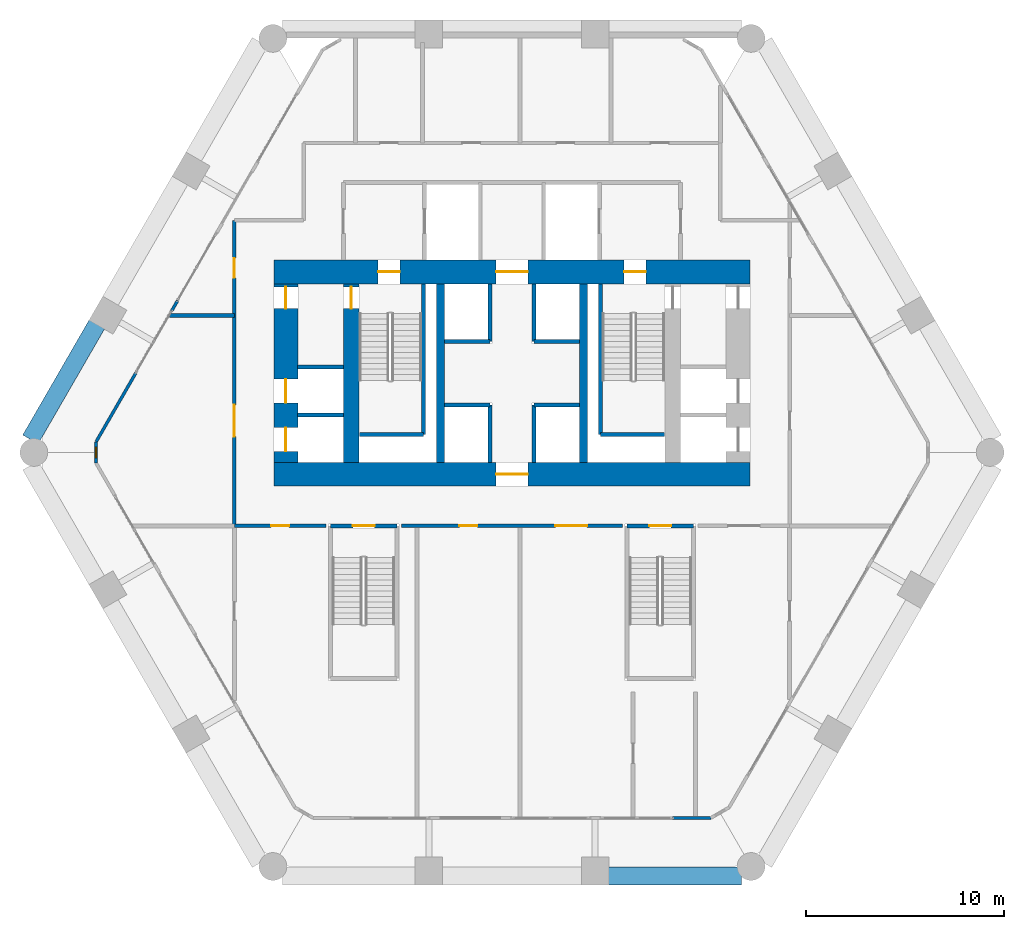
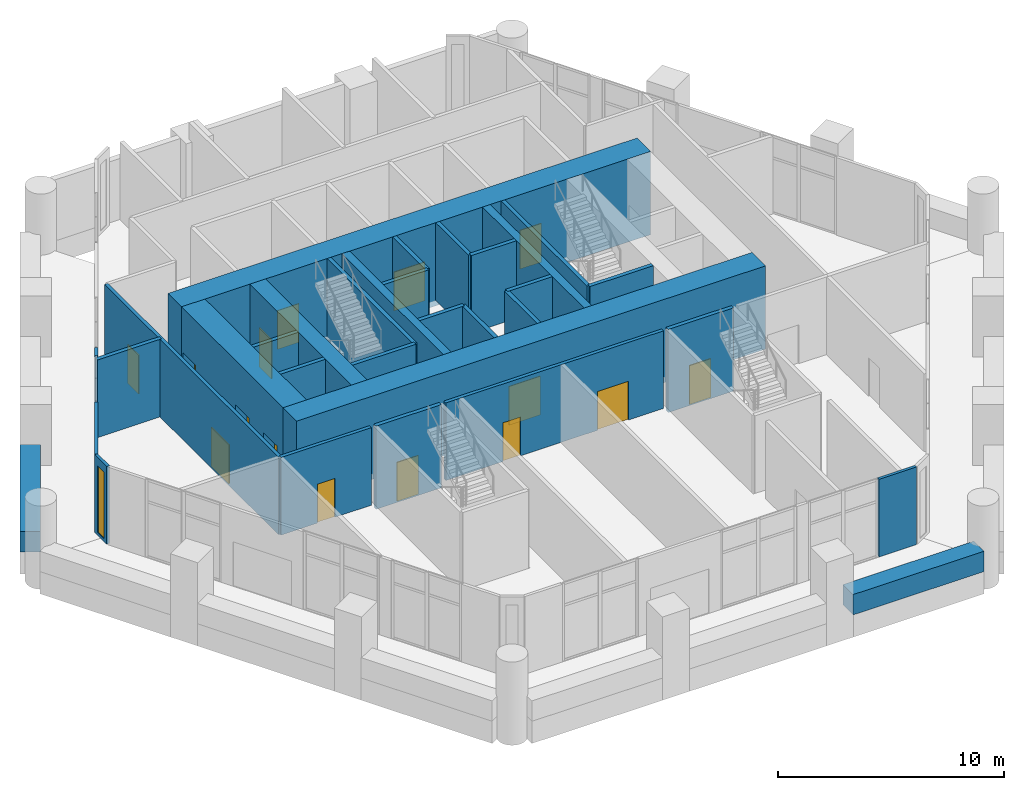
# One storey, part 14 of 18: 32 walls, 15 doors, 1 window, 16 openings.
"""IFC4 building model written with IfcOpenShell, lengths in metres."""

from ifc_helpers import new_model, si_unit, direction, frame, frame_2d, origin, place, context, subcontext, project, spatial, rectangle, extrude, material, layer, layer_set, type_object, element, fill, save


model = new_model("IFC4")

# Units and contexts
model_context = context("Model", 3, precision=1e-05, world=origin(), true_north=direction((0.0, 1.0)))
body_context = subcontext(model_context, "Body", "Model", "MODEL_VIEW")
ifc_project = project(units=[si_unit("LENGTHUNIT", "METRE"), si_unit("AREAUNIT", "SQUARE_METRE"), si_unit("VOLUMEUNIT", "CUBIC_METRE"), si_unit("PLANEANGLEUNIT", "RADIAN"), si_unit("MASSUNIT", "GRAM", prefix="KILO")], contexts=[model_context])

# Site, building, storey
site_placement = place(None, origin())
site = spatial("IfcSite", under=ifc_project, at=site_placement, CompositionType="ELEMENT")
building_placement = place(site_placement, origin())
building = spatial("IfcBuilding", under=site, at=building_placement, Name="Ostrander Bayou Hotel Tower", CompositionType="ELEMENT")
storey_placement = place(building_placement, frame((0.0, 0.0, 19.0)))
storey = spatial("IfcBuildingStorey", under=building, at=storey_placement, Name="L04", CompositionType="ELEMENT", Elevation=19.0)

# Wall, opening, door
ifc_material_1 = material(Name="Concrete f'c 70 MPa", Category="concrete")
ifc_layer_1 = layer(ifc_material_1, 1.199951171875)
ifc_layer_set_1 = layer_set([ifc_layer_1], Name="CW1 core wall 1200 mm f'c 70 MPa")
wall_type_1 = type_object("IfcWallType", Name="CW1 core wall 1200 mm f'c 70 MPa", PredefinedType="SHEAR", material=ifc_layer_set_1)
wall_1_placement = place(storey_placement, frame((-12.0, -1.10009765625, -0.300048828125), z_axis=(0.0, 0.0, 1.0), x_axis=(1.0, 0.0, 0.0)))
wall_1 = element("IfcWall", 1, at=wall_1_placement, inside=storey, type_object=wall_type_1, Name="CW1 L04 S", PredefinedType="SHEAR", context=body_context, shape_type="SweptSolid", body=[
    extrude(rectangle(XDim=24.0, YDim=1.199951171875, at=frame_2d((12.0, 0.0))), origin(), (0.0, 0.0, 1.0), 4.5),
])
opening_1_placement = place(wall_1_placement, frame((11.199951171875, 0.0, 0.0)))
opening_1 = element("IfcOpeningElement", 2, at=opening_1_placement, cuts=wall_1, Name="Opening T04-001", PredefinedType="OPENING", context=body_context, shape_type="SweptSolid", body=[
    extrude(rectangle(XDim=1.60009765625, YDim=2.10009765625, at=frame_2d((0.800048828125, 1.050048828125))), frame((0.0, 0.60009765625, 0.0), z_axis=(0.0, -1.0, 0.0), x_axis=(1.0, 0.0, 0.0)), (0.0, 0.0, 1.0), 1.199951171875),
])
ifc_material_2 = material(Name="Timber door leaf", Category="wood")
door_type_1 = type_object("IfcDoorType", Name="D13 double door 1600 x 2100 mm, 1 hour", OperationType="SINGLE_SWING_LEFT", PredefinedType="DOOR", material=ifc_material_2)
door_1_placement = place(opening_1_placement, origin())
door_1 = element("IfcDoor", 3, at=door_1_placement, inside=storey, type_object=door_type_1, Name="dr:L04:001", OperationType="DOUBLE_DOOR_SINGLE_SWING", OverallHeight=2.10009765625, OverallWidth=1.60009765625, PredefinedType="DOOR", context=body_context, shape_type="SweptSolid", body=[
    extrude(rectangle(XDim=1.60009765625, YDim=2.10009765625, at=frame_2d((0.800048828125, 1.050048828125))), frame((0.0, 0.02490234375, 0.0), z_axis=(0.0, -1.0, 0.0), x_axis=(1.0, 0.0, 0.0)), (0.0, 0.0, 1.0), 0.050048828125),
])
fill(opening_1, door_1)

# Wall, openings, doors
wall_2_placement = place(storey_placement, frame((-12.0, 9.10009765625, -0.300048828125), z_axis=(0.0, 0.0, 1.0), x_axis=(1.0, 0.0, 0.0)))
wall_2 = element("IfcWall", 4, at=wall_2_placement, inside=storey, type_object=wall_type_1, Name="CW1 L04 N", PredefinedType="SHEAR", context=body_context, shape_type="SweptSolid", body=[
    extrude(rectangle(XDim=24.0, YDim=1.199951171875, at=frame_2d((12.0, 0.0))), origin(), (0.0, 0.0, 1.0), 4.5),
])
opening_2_placement = place(wall_2_placement, frame((11.199951171875, 0.0, 0.0)))
opening_2 = element("IfcOpeningElement", 5, at=opening_2_placement, cuts=wall_2, Name="Opening T04-002", PredefinedType="OPENING", context=body_context, shape_type="SweptSolid", body=[
    extrude(rectangle(XDim=1.60009765625, YDim=2.10009765625, at=frame_2d((0.800048828125, 1.050048828125))), frame((0.0, 0.60009765625, 0.0), z_axis=(0.0, -1.0, 0.0), x_axis=(1.0, 0.0, 0.0)), (0.0, 0.0, 1.0), 1.199951171875),
])
opening_3_placement = place(wall_2_placement, frame((5.25, 0.0, 0.0)))
opening_3 = element("IfcOpeningElement", 6, at=opening_3_placement, cuts=wall_2, Name="Opening T04-003", PredefinedType="OPENING", context=body_context, shape_type="SweptSolid", body=[
    extrude(rectangle(XDim=1.10009765625, YDim=2.10009765625, at=frame_2d((0.550048828125, 1.050048828125))), frame((0.0, 0.60009765625, 0.0), z_axis=(0.0, -1.0, 0.0), x_axis=(1.0, 0.0, 0.0)), (0.0, 0.0, 1.0), 1.199951171875),
])
opening_4_placement = place(wall_2_placement, frame((17.64990234375, 0.0, 0.0)))
opening_4 = element("IfcOpeningElement", 7, at=opening_4_placement, cuts=wall_2, Name="Opening T04-005", PredefinedType="OPENING", context=body_context, shape_type="SweptSolid", body=[
    extrude(rectangle(XDim=1.10009765625, YDim=2.10009765625, at=frame_2d((0.550048828125, 1.050048828125))), frame((0.0, 0.60009765625, 0.0), z_axis=(0.0, -1.0, 0.0), x_axis=(1.0, 0.0, 0.0)), (0.0, 0.0, 1.0), 1.199951171875),
])
door_2_placement = place(opening_2_placement, origin())
door_2 = element("IfcDoor", 8, at=door_2_placement, inside=storey, type_object=door_type_1, Name="dr:L04:002", OperationType="DOUBLE_DOOR_SINGLE_SWING", OverallHeight=2.10009765625, OverallWidth=1.60009765625, PredefinedType="DOOR", context=body_context, shape_type="SweptSolid", body=[
    extrude(rectangle(XDim=1.60009765625, YDim=2.10009765625, at=frame_2d((0.800048828125, 1.050048828125))), frame((0.0, 0.02490234375, 0.0), z_axis=(0.0, -1.0, 0.0), x_axis=(1.0, 0.0, 0.0)), (0.0, 0.0, 1.0), 0.050048828125),
])
fill(opening_2, door_2)
ifc_material_3 = material(Name="Timber door leaf", Category="wood")
door_type_2 = type_object("IfcDoorType", Name="D5 stair door 1100 x 2100 mm, 90 minute", OperationType="SINGLE_SWING_LEFT", PredefinedType="DOOR", material=ifc_material_3)
door_3_placement = place(opening_3_placement, origin())
door_3 = element("IfcDoor", 9, at=door_3_placement, inside=storey, type_object=door_type_2, Name="dr:L04:003", OperationType="SINGLE_SWING_LEFT", OverallHeight=2.10009765625, OverallWidth=1.10009765625, PredefinedType="DOOR", context=body_context, shape_type="SweptSolid", body=[
    extrude(rectangle(XDim=1.10009765625, YDim=2.10009765625, at=frame_2d((0.550048828125, 1.050048828125))), frame((0.0, 0.02490234375, 0.0), z_axis=(0.0, -1.0, 0.0), x_axis=(1.0, 0.0, 0.0)), (0.0, 0.0, 1.0), 0.050048828125),
])
fill(opening_3, door_3)
door_4_placement = place(opening_4_placement, origin())
door_4 = element("IfcDoor", 10, at=door_4_placement, inside=storey, type_object=door_type_2, Name="dr:L04:005", OperationType="SINGLE_SWING_RIGHT", OverallHeight=2.10009765625, OverallWidth=1.10009765625, PredefinedType="DOOR", context=body_context, shape_type="SweptSolid", body=[
    extrude(rectangle(XDim=1.10009765625, YDim=2.10009765625, at=frame_2d((0.550048828125, 1.050048828125))), frame((0.0, 0.02490234375, 0.0), z_axis=(0.0, -1.0, 0.0), x_axis=(1.0, 0.0, 0.0)), (0.0, 0.0, 1.0), 0.050048828125),
])
fill(opening_4, door_4)

wall_3_placement = place(storey_placement, frame((-11.39990234375, -0.5, -0.300048828125), z_axis=(0.0, 0.0, 1.0), x_axis=(0.0, 1.0, 0.0)))
wall_3 = element("IfcWall", 11, at=wall_3_placement, inside=storey, type_object=wall_type_1, Name="CW1 L04 RW", PredefinedType="SHEAR", context=body_context, shape_type="SweptSolid", body=[
    extrude(rectangle(XDim=9.0, YDim=1.199951171875, at=frame_2d((4.5, 0.0))), origin(), (0.0, 0.0, 1.0), 4.5),
])
opening_5_placement = place(wall_3_placement, frame((7.75, 0.0, 0.0)))
opening_5 = element("IfcOpeningElement", 12, at=opening_5_placement, cuts=wall_3, Name="Opening T04-013", PredefinedType="OPENING", context=body_context, shape_type="SweptSolid", body=[
    extrude(rectangle(XDim=1.10009765625, YDim=2.10009765625, at=frame_2d((0.550048828125, 1.050048828125))), frame((0.0, 0.60009765625, 0.0), z_axis=(0.0, -1.0, 0.0), x_axis=(1.0, 0.0, 0.0)), (0.0, 0.0, 1.0), 1.199951171875),
])
opening_6_placement = place(wall_3_placement, frame((0.550048828125, 0.0, 0.0)))
opening_6 = element("IfcOpeningElement", 13, at=opening_6_placement, cuts=wall_3, Name="Opening T04-014", PredefinedType="OPENING", context=body_context, shape_type="SweptSolid", body=[
    extrude(rectangle(XDim=1.199951171875, YDim=2.10009765625, at=frame_2d((0.60009765625, 1.050048828125))), frame((0.0, 0.60009765625, 0.0), z_axis=(0.0, -1.0, 0.0), x_axis=(1.0, 0.0, 0.0)), (0.0, 0.0, 1.0), 1.199951171875),
])
opening_7_placement = place(wall_3_placement, frame((3.0, 0.0, 0.0)))
opening_7 = element("IfcOpeningElement", 14, at=opening_7_placement, cuts=wall_3, Name="Opening T04-015", PredefinedType="OPENING", context=body_context, shape_type="SweptSolid", body=[
    extrude(rectangle(XDim=1.199951171875, YDim=2.10009765625, at=frame_2d((0.60009765625, 1.050048828125))), frame((0.0, 0.60009765625, 0.0), z_axis=(0.0, -1.0, 0.0), x_axis=(1.0, 0.0, 0.0)), (0.0, 0.0, 1.0), 1.199951171875),
])
door_5_placement = place(opening_5_placement, origin())
door_5 = element("IfcDoor", 15, at=door_5_placement, inside=storey, type_object=door_type_2, Name="dr:L04:013", OperationType="SINGLE_SWING_LEFT", OverallHeight=2.10009765625, OverallWidth=1.10009765625, PredefinedType="DOOR", context=body_context, shape_type="SweptSolid", body=[
    extrude(rectangle(XDim=1.10009765625, YDim=2.10009765625, at=frame_2d((0.550048828125, 1.050048828125))), frame((0.0, 0.02490234375, 0.0), z_axis=(0.0, -1.0, 0.0), x_axis=(1.0, 0.0, 0.0)), (0.0, 0.0, 1.0), 0.050048828125),
])
fill(opening_5, door_5)
ifc_material_4 = material(Name="Stainless steel sliding door", Category="steel")
door_type_3 = type_object("IfcDoorType", Name="LD1 lift landing door 1200 x 2100 mm", OperationType="SINGLE_SWING_LEFT", PredefinedType="DOOR", material=ifc_material_4)
door_6_placement = place(opening_6_placement, origin())
door_6 = element("IfcDoor", 16, at=door_6_placement, inside=storey, type_object=door_type_3, Name="dr:L04:014", OperationType="SLIDING_TO_LEFT", OverallHeight=2.10009765625, OverallWidth=1.199951171875, PredefinedType="DOOR", context=body_context, shape_type="SweptSolid", body=[
    extrude(rectangle(XDim=1.199951171875, YDim=2.10009765625, at=frame_2d((0.60009765625, 1.050048828125))), frame((0.0, 0.02490234375, 0.0), z_axis=(0.0, -1.0, 0.0), x_axis=(1.0, 0.0, 0.0)), (0.0, 0.0, 1.0), 0.050048828125),
])
fill(opening_6, door_6)
door_7_placement = place(opening_7_placement, origin())
door_7 = element("IfcDoor", 17, at=door_7_placement, inside=storey, type_object=door_type_3, Name="dr:L04:015", OperationType="SLIDING_TO_LEFT", OverallHeight=2.10009765625, OverallWidth=1.199951171875, PredefinedType="DOOR", context=body_context, shape_type="SweptSolid", body=[
    extrude(rectangle(XDim=1.199951171875, YDim=2.10009765625, at=frame_2d((0.60009765625, 1.050048828125))), frame((0.0, 0.02490234375, 0.0), z_axis=(0.0, -1.0, 0.0), x_axis=(1.0, 0.0, 0.0)), (0.0, 0.0, 1.0), 0.050048828125),
])
fill(opening_7, door_7)

# Wall, opening, door
ifc_material_5 = material(Name="Concrete f'c 70 MPa", Category="concrete")
ifc_layer_2 = layer(ifc_material_5, 0.800048828125)
ifc_layer_set_2 = layer_set([ifc_layer_2], Name="CW2 core spine wall 800 mm f'c 70 MPa")
wall_type_2 = type_object("IfcWallType", Name="CW2 core spine wall 800 mm f'c 70 MPa", PredefinedType="SHEAR", material=ifc_layer_set_2)
wall_4_placement = place(storey_placement, frame((-8.10009765625, -0.5, -0.300048828125), z_axis=(0.0, 0.0, 1.0), x_axis=(0.0, 1.0, 0.0)))
wall_4 = element("IfcWall", 18, at=wall_4_placement, inside=storey, type_object=wall_type_2, Name="CW2 L04 W", PredefinedType="SHEAR", context=body_context, shape_type="SweptSolid", body=[
    extrude(rectangle(XDim=9.0, YDim=0.800048828125, at=frame_2d((4.5, 0.0))), origin(), (0.0, 0.0, 1.0), 4.5),
])
opening_8_placement = place(wall_4_placement, frame((7.75, 0.0, 0.0)))
opening_8 = element("IfcOpeningElement", 19, at=opening_8_placement, cuts=wall_4, Name="Opening T04-004", PredefinedType="OPENING", context=body_context, shape_type="SweptSolid", body=[
    extrude(rectangle(XDim=1.10009765625, YDim=2.10009765625, at=frame_2d((0.550048828125, 1.050048828125))), frame((0.0, 0.39990234375, 0.0), z_axis=(0.0, -1.0, 0.0), x_axis=(1.0, 0.0, 0.0)), (0.0, 0.0, 1.0), 0.800048828125),
])
door_8_placement = place(opening_8_placement, origin())
door_8 = element("IfcDoor", 20, at=door_8_placement, inside=storey, type_object=door_type_2, Name="dr:L04:004", OperationType="SINGLE_SWING_RIGHT", OverallHeight=2.10009765625, OverallWidth=1.10009765625, PredefinedType="DOOR", context=body_context, shape_type="SweptSolid", body=[
    extrude(rectangle(XDim=1.10009765625, YDim=2.10009765625, at=frame_2d((0.550048828125, 1.050048828125))), frame((0.0, 0.02490234375, 0.0), z_axis=(0.0, -1.0, 0.0), x_axis=(1.0, 0.0, 0.0)), (0.0, 0.0, 1.0), 0.050048828125),
])
fill(opening_8, door_8)

# Walls
ifc_material_6 = material(Name="Concrete f'c 70 MPa", Category="concrete")
ifc_layer_3 = layer(ifc_material_6, 0.39990234375)
ifc_layer_set_3 = layer_set([ifc_layer_3], Name="CW3 core bank wall 400 mm f'c 70 MPa")
wall_type_3 = type_object("IfcWallType", Name="CW3 core bank wall 400 mm f'c 70 MPa", PredefinedType="SHEAR", material=ifc_layer_set_3)
for number, where, z_axis, x_axis, name in (
    (21, (-3.60009765625, -0.5, -0.300048828125), (0.0, 0.0, 1.0), (0.0, 1.0, 0.0), "CW3 L04 CW"),
    (22, (3.60009765625, -0.5, -0.300048828125), (0.0, 0.0, 1.0), (0.0, 1.0, 0.0), "CW3 L04 CE"),
):
    element("IfcWall", number, at=place(storey_placement, frame(where, z_axis=z_axis, x_axis=x_axis)), inside=storey, type_object=wall_type_3, Name=name, PredefinedType="SHEAR", context=body_context, shape_type="SweptSolid", body=[
        extrude(rectangle(XDim=9.0, YDim=0.39990234375, at=frame_2d((4.5, 0.0))), origin(), (0.0, 0.0, 1.0), 4.5),
    ])
ifc_material_7 = material(Name="Aluminium framed insulated wall", Category="aluminium")
ifc_layer_4 = layer(ifc_material_7, 0.14990234375)
ifc_layer_set_4 = layer_set([ifc_layer_4], Name="GW1 glass-line wall 150 mm")
wall_type_4 = type_object("IfcWallType", Name="GW1 glass-line wall 150 mm", PredefinedType="SOLIDWALL", material=ifc_layer_set_4)
wall_5_placement = place(storey_placement, frame((-18.95654296875, 4.016357421875, 0.0), z_axis=(0.0, 0.0, 1.0), x_axis=(-0.500009633848, -0.866019841608, 0.0)))
element("IfcWall", 23, at=wall_5_placement, inside=storey, type_object=wall_type_4, Name="GW1 L04 NW end 2", PredefinedType="SOLIDWALL", context=body_context, shape_type="SweptSolid", body=[
    extrude(rectangle(XDim=4.02294921875, YDim=0.14990234375, at=frame_2d((2.011474609375, 0.0))), origin(), (0.0, 0.0, 1.0), 4.199951171875),
])
wall_6_placement = place(storey_placement, frame((-16.8564453125, 7.65380859375, 0.0), z_axis=(0.0, 0.0, 1.0), x_axis=(-0.499945471869, -0.866056883327, 0.0)))
element("IfcWall", 24, at=wall_6_placement, inside=storey, type_object=wall_type_4, Name="GW1 L04 NW pier 4", PredefinedType="SOLIDWALL", context=body_context, shape_type="SweptSolid", body=[
    extrude(rectangle(XDim=0.60009765625, YDim=0.14990234375, at=frame_2d((0.300048828125, 0.0))), origin(), (0.0, 0.0, 1.0), 4.199951171875),
])
wall_7_placement = place(storey_placement, frame((8.10009765625, -18.425048828125, 0.0), z_axis=(0.0, 0.0, 1.0), x_axis=(1.0, 0.0, 0.0)))
element("IfcWall", 25, at=wall_7_placement, inside=storey, type_object=wall_type_4, Name="GW1 L04 S end 2", PredefinedType="SOLIDWALL", context=body_context, shape_type="SweptSolid", body=[
    extrude(rectangle(XDim=1.922607421875, YDim=0.14990234375, at=frame_2d((0.96142578125, 0.0))), origin(), (0.0, 0.0, 1.0), 4.199951171875),
])

# Wall, opening, window
wall_8_placement = place(storey_placement, frame((-20.968017578125, 0.532470703125, 0.0), z_axis=(0.0, 0.0, 1.0), x_axis=(0.0, -1.0, 0.0)))
wall_8 = element("IfcWall", 26, at=wall_8_placement, inside=storey, type_object=wall_type_4, Name="GW1 L04 corner 2", PredefinedType="SOLIDWALL", context=body_context, shape_type="SweptSolid", body=[
    extrude(rectangle(XDim=1.06494140625, YDim=0.14990234375, at=frame_2d((0.532470703125, 0.0))), origin(), (0.0, 0.0, 1.0), 4.199951171875),
])
opening_9_placement = place(wall_8_placement, frame((0.257568359375, 0.0, 0.14990234375)))
opening_9 = element("IfcOpeningElement", 27, at=opening_9_placement, cuts=wall_8, Name="Opening W19", PredefinedType="OPENING", context=body_context, shape_type="SweptSolid", body=[
    extrude(rectangle(XDim=0.550048828125, YDim=3.60009765625, at=frame_2d((0.27490234375, 1.800048828125))), frame((0.0, 0.074951171875, 0.0), z_axis=(0.0, -1.0, 0.0), x_axis=(1.0, 0.0, 0.0)), (0.0, 0.0, 1.0), 0.14990234375),
])
ifc_material_8 = material(Name="Aluminium and clear glass", Category="aluminium")
window_type = type_object("IfcWindowType", Name="W19 corner window 550 mm", PartitioningType="SINGLE_PANEL", PredefinedType="WINDOW", material=ifc_material_8)
window_placement = place(opening_9_placement, origin())
window = element("IfcWindow", 28, at=window_placement, inside=storey, type_object=window_type, Name="W19 L04 corner 2", OverallHeight=3.60009765625, OverallWidth=0.550048828125, PartitioningType="SINGLE_PANEL", PredefinedType="WINDOW", context=body_context, shape_type="SweptSolid", body=[
    extrude(rectangle(XDim=0.550048828125, YDim=3.60009765625, at=frame_2d((0.27490234375, 1.800048828125))), frame((0.0, 0.030029296875, 0.0), z_axis=(0.0, -1.0, 0.0), x_axis=(1.0, 0.0, 0.0)), (0.0, 0.0, 1.0), 0.06005859375),
])
fill(opening_9, window)

# Walls
ifc_material_9 = material(Name="Concrete f'c 40 MPa", Category="concrete")
ifc_layer_5 = layer(ifc_material_9, 0.89990234375)
ifc_layer_set_5 = layer_set([ifc_layer_5], Name="PA1 stone-faced parapet 900 mm")
wall_type_5 = type_object("IfcWallType", Name="PA1 stone-faced parapet 900 mm", PredefinedType="PARAPET", material=ifc_layer_set_5)
for number, where, z_axis, x_axis, name in (
    (29, (-20.92236328125, 6.46142578125, 0.0), (0.0, 0.0, 1.0), (-0.500005133765, -0.866022439784, 0.0), "PA1 L04 NW-3"),
    (30, (4.865478515625, -21.35009765625, 0.0), (0.0, 0.0, 1.0), (1.0, 0.0, 0.0), "PA1 L04 S-3"),
):
    element("IfcWall", number, at=place(storey_placement, frame(where, z_axis=z_axis, x_axis=x_axis)), inside=storey, type_object=wall_type_5, Name=name, PredefinedType="PARAPET", context=body_context, shape_type="SweptSolid", body=[
        extrude(rectangle(XDim=6.70361328125, YDim=0.89990234375, at=frame_2d((3.351806640625, 0.0))), origin(), (0.0, 0.0, 1.0), 1.10009765625),
    ])
ifc_material_10 = material(Name="Gypsum board partition", Category="finish")
ifc_layer_6 = layer(ifc_material_10, 0.199951171875)
ifc_layer_set_6 = layer_set([ifc_layer_6], Name="PT3 demising wall 200 mm acoustic double stud, 1 hour")
wall_type_6 = type_object("IfcWallType", Name="PT3 demising wall 200 mm acoustic double stud, 1 hour", PredefinedType="PARTITIONING", material=ifc_layer_set_6)
wall_9_placement = place(storey_placement, frame((-17.2705078125, 6.89990234375, 0.0), z_axis=(0.0, 0.0, 1.0), x_axis=(1.0, 0.0, 0.0)))
element("IfcWall", 31, at=wall_9_placement, inside=storey, type_object=wall_type_6, Name="sw:L04:013", PredefinedType="PARTITIONING", context=body_context, shape_type="SweptSolid", body=[
    extrude(rectangle(XDim=3.2705078125, YDim=0.199951171875, at=frame_2d((1.63525390625, 0.0))), origin(), (0.0, 0.0, 1.0), 4.199951171875),
])

# Wall, opening, door
ifc_material_11 = material(Name="Gypsum board partition", Category="finish")
ifc_layer_7 = layer(ifc_material_11, 0.175048828125)
ifc_layer_set_7 = layer_set([ifc_layer_7], Name="PT4 corridor wall 175 mm, 1 hour")
wall_type_7 = type_object("IfcWallType", Name="PT4 corridor wall 175 mm, 1 hour", PredefinedType="PARTITIONING", material=ifc_layer_set_7)
wall_10_placement = place(storey_placement, frame((-14.0, -3.699951171875, 0.0), z_axis=(0.0, 0.0, 1.0), x_axis=(1.0, 0.0, 0.0)))
wall_10 = element("IfcWall", 32, at=wall_10_placement, inside=storey, type_object=wall_type_7, Name="sw:L04:001", PredefinedType="PARTITIONING", context=body_context, shape_type="SweptSolid", body=[
    extrude(rectangle(XDim=4.6201171875, YDim=0.175048828125, at=frame_2d((2.31005859375, 0.0))), origin(), (0.0, 0.0, 1.0), 4.199951171875),
])
opening_10_placement = place(wall_10_placement, frame((1.860107421875, 0.0, 0.0)))
opening_10 = element("IfcOpeningElement", 33, at=opening_10_placement, cuts=wall_10, Name="Opening T04-200", PredefinedType="OPENING", context=body_context, shape_type="SweptSolid", body=[
    extrude(rectangle(XDim=0.89990234375, YDim=2.10009765625, at=frame_2d((0.449951171875, 1.050048828125))), frame((0.0, 0.08740234375, 0.0), z_axis=(0.0, -1.0, 0.0), x_axis=(1.0, 0.0, 0.0)), (0.0, 0.0, 1.0), 0.175048828125),
])
ifc_material_12 = material(Name="Timber door leaf", Category="wood")
door_type_4 = type_object("IfcDoorType", Name="D8 room door 900 x 2100 mm", OperationType="SINGLE_SWING_LEFT", PredefinedType="DOOR", material=ifc_material_12)
door_9_placement = place(opening_10_placement, origin())
door_9 = element("IfcDoor", 34, at=door_9_placement, inside=storey, type_object=door_type_4, Name="dr:L04:200", OperationType="SINGLE_SWING_RIGHT", OverallHeight=2.10009765625, OverallWidth=0.89990234375, PredefinedType="DOOR", context=body_context, shape_type="SweptSolid", body=[
    extrude(rectangle(XDim=0.89990234375, YDim=2.10009765625, at=frame_2d((0.449951171875, 1.050048828125))), frame((0.0, 0.02490234375, 0.0), z_axis=(0.0, -1.0, 0.0), x_axis=(1.0, 0.0, 0.0)), (0.0, 0.0, 1.0), 0.050048828125),
])
fill(opening_10, door_9)

# Wall, openings, doors
wall_11_placement = place(storey_placement, frame((-5.570068359375, -3.699951171875, 0.0), z_axis=(0.0, 0.0, 1.0), x_axis=(1.0, 0.0, 0.0)))
wall_11 = element("IfcWall", 35, at=wall_11_placement, inside=storey, type_object=wall_type_7, Name="sw:L04:002", PredefinedType="PARTITIONING", context=body_context, shape_type="SweptSolid", body=[
    extrude(rectangle(XDim=11.14013671875, YDim=0.175048828125, at=frame_2d((5.570068359375, 0.0))), origin(), (0.0, 0.0, 1.0), 4.199951171875),
])
opening_11_placement = place(wall_11_placement, frame((2.919921875, 0.0, 0.0)))
opening_11 = element("IfcOpeningElement", 36, at=opening_11_placement, cuts=wall_11, Name="Opening T04-201", PredefinedType="OPENING", context=body_context, shape_type="SweptSolid", body=[
    extrude(rectangle(XDim=0.89990234375, YDim=2.10009765625, at=frame_2d((0.449951171875, 1.050048828125))), frame((0.0, 0.08740234375, 0.0), z_axis=(0.0, -1.0, 0.0), x_axis=(1.0, 0.0, 0.0)), (0.0, 0.0, 1.0), 0.175048828125),
])
opening_12_placement = place(wall_11_placement, frame((7.7548828125, 0.0, 0.0)))
opening_12 = element("IfcOpeningElement", 37, at=opening_12_placement, cuts=wall_11, Name="Opening T04-202", PredefinedType="OPENING", context=body_context, shape_type="SweptSolid", body=[
    extrude(rectangle(XDim=1.60009765625, YDim=2.10009765625, at=frame_2d((0.800048828125, 1.050048828125))), frame((0.0, 0.08740234375, 0.0), z_axis=(0.0, -1.0, 0.0), x_axis=(1.0, 0.0, 0.0)), (0.0, 0.0, 1.0), 0.175048828125),
])
door_10_placement = place(opening_12_placement, origin())
door_10 = element("IfcDoor", 38, at=door_10_placement, inside=storey, type_object=door_type_1, Name="dr:L04:202", OperationType="DOUBLE_DOOR_SINGLE_SWING", OverallHeight=2.10009765625, OverallWidth=1.60009765625, PredefinedType="DOOR", context=body_context, shape_type="SweptSolid", body=[
    extrude(rectangle(XDim=1.60009765625, YDim=2.10009765625, at=frame_2d((0.800048828125, 1.050048828125))), frame((0.0, 0.02490234375, 0.0), z_axis=(0.0, -1.0, 0.0), x_axis=(1.0, 0.0, 0.0)), (0.0, 0.0, 1.0), 0.050048828125),
])
fill(opening_12, door_10)
door_11_placement = place(opening_11_placement, origin())
door_11 = element("IfcDoor", 39, at=door_11_placement, inside=storey, type_object=door_type_4, Name="dr:L04:201", OperationType="SINGLE_SWING_LEFT", OverallHeight=2.10009765625, OverallWidth=0.89990234375, PredefinedType="DOOR", context=body_context, shape_type="SweptSolid", body=[
    extrude(rectangle(XDim=0.89990234375, YDim=2.10009765625, at=frame_2d((0.449951171875, 1.050048828125))), frame((0.0, 0.02490234375, 0.0), z_axis=(0.0, -1.0, 0.0), x_axis=(1.0, 0.0, 0.0)), (0.0, 0.0, 1.0), 0.050048828125),
])
fill(opening_11, door_11)

wall_12_placement = place(storey_placement, frame((-14.0, -3.699951171875, 0.0), z_axis=(0.0, 0.0, 1.0), x_axis=(0.0, 1.0, 0.0)))
wall_12 = element("IfcWall", 40, at=wall_12_placement, inside=storey, type_object=wall_type_7, Name="sw:L04:007", PredefinedType="PARTITIONING", context=body_context, shape_type="SweptSolid", body=[
    extrude(rectangle(XDim=15.39990234375, YDim=0.175048828125, at=frame_2d((7.699951171875, 0.0))), origin(), (0.0, 0.0, 1.0), 4.199951171875),
])
opening_13_placement = place(wall_12_placement, frame((4.5, 0.0, 0.0)))
opening_13 = element("IfcOpeningElement", 41, at=opening_13_placement, cuts=wall_12, Name="Opening T04-206", PredefinedType="OPENING", context=body_context, shape_type="SweptSolid", body=[
    extrude(rectangle(XDim=1.60009765625, YDim=2.10009765625, at=frame_2d((0.800048828125, 1.050048828125))), frame((0.0, 0.08740234375, 0.0), z_axis=(0.0, -1.0, 0.0), x_axis=(1.0, 0.0, 0.0)), (0.0, 0.0, 1.0), 0.175048828125),
])
opening_14_placement = place(wall_12_placement, frame((12.5, 0.0, 0.0)))
opening_14 = element("IfcOpeningElement", 42, at=opening_14_placement, cuts=wall_12, Name="Opening T04-209", PredefinedType="OPENING", context=body_context, shape_type="SweptSolid", body=[
    extrude(rectangle(XDim=1.0, YDim=2.10009765625, at=frame_2d((0.5, 1.050048828125))), frame((0.0, 0.08740234375, 0.0), z_axis=(0.0, -1.0, 0.0), x_axis=(1.0, 0.0, 0.0)), (0.0, 0.0, 1.0), 0.175048828125),
])
door_12_placement = place(opening_13_placement, origin())
door_12 = element("IfcDoor", 43, at=door_12_placement, inside=storey, type_object=door_type_1, Name="dr:L04:206", OperationType="DOUBLE_DOOR_SINGLE_SWING", OverallHeight=2.10009765625, OverallWidth=1.60009765625, PredefinedType="DOOR", context=body_context, shape_type="SweptSolid", body=[
    extrude(rectangle(XDim=1.60009765625, YDim=2.10009765625, at=frame_2d((0.800048828125, 1.050048828125))), frame((0.0, 0.02490234375, 0.0), z_axis=(0.0, -1.0, 0.0), x_axis=(1.0, 0.0, 0.0)), (0.0, 0.0, 1.0), 0.050048828125),
])
fill(opening_13, door_12)
ifc_material_13 = material(Name="Timber door leaf", Category="wood")
door_type_5 = type_object("IfcDoorType", Name="D9 service door 1000 x 2100 mm, 30 minute", OperationType="SINGLE_SWING_LEFT", PredefinedType="DOOR", material=ifc_material_13)
door_13_placement = place(opening_14_placement, origin())
door_13 = element("IfcDoor", 44, at=door_13_placement, inside=storey, type_object=door_type_5, Name="dr:L04:209", OperationType="SINGLE_SWING_LEFT", OverallHeight=2.10009765625, OverallWidth=1.0, PredefinedType="DOOR", context=body_context, shape_type="SweptSolid", body=[
    extrude(rectangle(XDim=1.0, YDim=2.10009765625, at=frame_2d((0.5, 1.050048828125))), frame((0.0, 0.02490234375, 0.0), z_axis=(0.0, -1.0, 0.0), x_axis=(1.0, 0.0, 0.0)), (0.0, 0.0, 1.0), 0.050048828125),
])
fill(opening_14, door_13)

# Walls
ifc_material_14 = material(Name="Masonry block", Category="masonry")
ifc_layer_8 = layer(ifc_material_14, 0.199951171875)
ifc_layer_set_8 = layer_set([ifc_layer_8], Name="PT6 lift shaft wall 200 mm masonry, 2 hour")
wall_type_8 = type_object("IfcWallType", Name="PT6 lift shaft wall 200 mm masonry, 2 hour", PredefinedType="PARTITIONING", material=ifc_layer_set_8)
for number, where, z_axis, x_axis, name in (
    (45, (-3.39990234375, 2.39990234375, 0.0), (0.0, 0.0, 1.0), (1.0, 0.0, 0.0), "cs:L04:001"),
    (46, (-3.39990234375, 5.60009765625, 0.0), (0.0, 0.0, 1.0), (1.0, 0.0, 0.0), "cs:L04:002"),
    (47, (1.10009765625, 2.39990234375, 0.0), (0.0, 0.0, 1.0), (1.0, 0.0, 0.0), "cs:L04:003"),
    (48, (1.10009765625, 5.60009765625, 0.0), (0.0, 0.0, 1.0), (1.0, 0.0, 0.0), "cs:L04:004"),
):
    element("IfcWall", number, at=place(storey_placement, frame(where, z_axis=z_axis, x_axis=x_axis)), inside=storey, type_object=wall_type_8, Name=name, PredefinedType="PARTITIONING", context=body_context, shape_type="SweptSolid", body=[
        extrude(rectangle(XDim=2.2998046875, YDim=0.199951171875, at=frame_2d((1.14990234375, 0.0))), origin(), (0.0, 0.0, 1.0), 4.199951171875),
    ])
for number, where, z_axis, x_axis, name in (
    (49, (-1.10009765625, -0.5, 0.0), (0.0, 0.0, 1.0), (0.0, 1.0, 0.0), "cs:L04:005"),
    (50, (1.10009765625, -0.5, 0.0), (0.0, 0.0, 1.0), (0.0, 1.0, 0.0), "cs:L04:006"),
    (51, (-1.10009765625, 5.60009765625, 0.0), (0.0, 0.0, 1.0), (0.0, 1.0, 0.0), "cs:L04:007"),
    (52, (1.10009765625, 5.60009765625, 0.0), (0.0, 0.0, 1.0), (0.0, 1.0, 0.0), "cs:L04:008"),
):
    element("IfcWall", number, at=place(storey_placement, frame(where, z_axis=z_axis, x_axis=x_axis)), inside=storey, type_object=wall_type_8, Name=name, PredefinedType="PARTITIONING", context=body_context, shape_type="SweptSolid", body=[
        extrude(rectangle(XDim=2.89990234375, YDim=0.199951171875, at=frame_2d((1.449951171875, 0.0))), origin(), (0.0, 0.0, 1.0), 4.199951171875),
    ])
for number, where, z_axis, x_axis, name in (
    (53, (-10.800048828125, 1.89990234375, 0.0), (0.0, 0.0, 1.0), (1.0, 0.0, 0.0), "cs:L04:028"),
    (54, (-10.800048828125, 4.300048828125, 0.0), (0.0, 0.0, 1.0), (1.0, 0.0, 0.0), "cs:L04:029"),
):
    element("IfcWall", number, at=place(storey_placement, frame(where, z_axis=z_axis, x_axis=x_axis)), inside=storey, type_object=wall_type_8, Name=name, PredefinedType="PARTITIONING", context=body_context, shape_type="SweptSolid", body=[
        extrude(rectangle(XDim=2.300048828125, YDim=0.199951171875, at=frame_2d((1.14990234375, 0.0))), origin(), (0.0, 0.0, 1.0), 4.199951171875),
    ])
ifc_material_15 = material(Name="Concrete f'c 45 MPa", Category="concrete")
ifc_layer_9 = layer(ifc_material_15, 0.199951171875)
ifc_layer_set_9 = layer_set([ifc_layer_9], Name="SW5 stair enclosure wall 200 mm f'c 45 MPa")
wall_type_9 = type_object("IfcWallType", Name="SW5 stair enclosure wall 200 mm f'c 45 MPa", PredefinedType="SOLIDWALL", material=ifc_layer_set_9)
wall_13_placement = place(storey_placement, frame((-4.449951171875, 0.89990234375, -0.300048828125), z_axis=(0.0, 0.0, 1.0), x_axis=(0.0, 1.0, 0.0)))
element("IfcWall", 55, at=wall_13_placement, inside=storey, type_object=wall_type_9, Name="cs:L04:009", PredefinedType="SOLIDWALL", context=body_context, shape_type="SweptSolid", body=[
    extrude(rectangle(XDim=7.60009765625, YDim=0.199951171875, at=frame_2d((3.800048828125, 0.0))), origin(), (0.0, 0.0, 1.0), 4.5),
])
wall_14_placement = place(storey_placement, frame((-7.699951171875, 0.89990234375, -0.300048828125), z_axis=(0.0, 0.0, 1.0), x_axis=(1.0, 0.0, 0.0)))
element("IfcWall", 56, at=wall_14_placement, inside=storey, type_object=wall_type_9, Name="cs:L04:010", PredefinedType="SOLIDWALL", context=body_context, shape_type="SweptSolid", body=[
    extrude(rectangle(XDim=3.25, YDim=0.199951171875, at=frame_2d((1.625, 0.0))), origin(), (0.0, 0.0, 1.0), 4.5),
])
wall_15_placement = place(storey_placement, frame((4.449951171875, 0.89990234375, -0.300048828125), z_axis=(0.0, 0.0, 1.0), x_axis=(0.0, 1.0, 0.0)))
element("IfcWall", 57, at=wall_15_placement, inside=storey, type_object=wall_type_9, Name="cs:L04:011", PredefinedType="SOLIDWALL", context=body_context, shape_type="SweptSolid", body=[
    extrude(rectangle(XDim=7.60009765625, YDim=0.199951171875, at=frame_2d((3.800048828125, 0.0))), origin(), (0.0, 0.0, 1.0), 4.5),
])
wall_16_placement = place(storey_placement, frame((4.449951171875, 0.89990234375, -0.300048828125), z_axis=(0.0, 0.0, 1.0), x_axis=(1.0, 0.0, 0.0)))
element("IfcWall", 58, at=wall_16_placement, inside=storey, type_object=wall_type_9, Name="cs:L04:012", PredefinedType="SOLIDWALL", context=body_context, shape_type="SweptSolid", body=[
    extrude(rectangle(XDim=3.25, YDim=0.199951171875, at=frame_2d((1.625, 0.0))), origin(), (0.0, 0.0, 1.0), 4.5),
])

# Wall, opening, door
wall_17_placement = place(storey_placement, frame((5.800048828125, -3.699951171875, -0.300048828125), z_axis=(0.0, 0.0, 1.0), x_axis=(1.0, 0.0, 0.0)))
wall_17 = element("IfcWall", 59, at=wall_17_placement, inside=storey, type_object=wall_type_9, Name="cs:L04:013", PredefinedType="SOLIDWALL", context=body_context, shape_type="SweptSolid", body=[
    extrude(rectangle(XDim=3.349853515625, YDim=0.199951171875, at=frame_2d((1.6748046875, 0.0))), origin(), (0.0, 0.0, 1.0), 4.5),
])
opening_15_placement = place(wall_17_placement, frame((1.125, 0.0, 0.0)))
opening_15 = element("IfcOpeningElement", 60, at=opening_15_placement, cuts=wall_17, Name="Opening T04-007", PredefinedType="OPENING", context=body_context, shape_type="SweptSolid", body=[
    extrude(rectangle(XDim=1.10009765625, YDim=2.10009765625, at=frame_2d((0.550048828125, 1.050048828125))), frame((0.0, 0.10009765625, 0.0), z_axis=(0.0, -1.0, 0.0), x_axis=(1.0, 0.0, 0.0)), (0.0, 0.0, 1.0), 0.199951171875),
])
door_14_placement = place(opening_15_placement, origin())
door_14 = element("IfcDoor", 61, at=door_14_placement, inside=storey, type_object=door_type_2, Name="dr:L04:007", OperationType="SINGLE_SWING_LEFT", OverallHeight=2.10009765625, OverallWidth=1.10009765625, PredefinedType="DOOR", context=body_context, shape_type="SweptSolid", body=[
    extrude(rectangle(XDim=1.10009765625, YDim=2.10009765625, at=frame_2d((0.550048828125, 1.050048828125))), frame((0.0, 0.02490234375, 0.0), z_axis=(0.0, -1.0, 0.0), x_axis=(1.0, 0.0, 0.0)), (0.0, 0.0, 1.0), 0.050048828125),
])
fill(opening_15, door_14)

wall_18_placement = place(storey_placement, frame((-9.14990234375, -3.699951171875, -0.300048828125), z_axis=(0.0, 0.0, 1.0), x_axis=(1.0, 0.0, 0.0)))
wall_18 = element("IfcWall", 62, at=wall_18_placement, inside=storey, type_object=wall_type_9, Name="cs:L04:017", PredefinedType="SOLIDWALL", context=body_context, shape_type="SweptSolid", body=[
    extrude(rectangle(XDim=3.349853515625, YDim=0.199951171875, at=frame_2d((1.6748046875, 0.0))), origin(), (0.0, 0.0, 1.0), 4.5),
])
opening_16_placement = place(wall_18_placement, frame((1.125, 0.0, 0.0)))
opening_16 = element("IfcOpeningElement", 63, at=opening_16_placement, cuts=wall_18, Name="Opening T04-008", PredefinedType="OPENING", context=body_context, shape_type="SweptSolid", body=[
    extrude(rectangle(XDim=1.10009765625, YDim=2.10009765625, at=frame_2d((0.550048828125, 1.050048828125))), frame((0.0, 0.10009765625, 0.0), z_axis=(0.0, -1.0, 0.0), x_axis=(1.0, 0.0, 0.0)), (0.0, 0.0, 1.0), 0.199951171875),
])
door_15_placement = place(opening_16_placement, origin())
door_15 = element("IfcDoor", 64, at=door_15_placement, inside=storey, type_object=door_type_2, Name="dr:L04:008", OperationType="SINGLE_SWING_LEFT", OverallHeight=2.10009765625, OverallWidth=1.10009765625, PredefinedType="DOOR", context=body_context, shape_type="SweptSolid", body=[
    extrude(rectangle(XDim=1.10009765625, YDim=2.10009765625, at=frame_2d((0.550048828125, 1.050048828125))), frame((0.0, 0.02490234375, 0.0), z_axis=(0.0, -1.0, 0.0), x_axis=(1.0, 0.0, 0.0)), (0.0, 0.0, 1.0), 0.050048828125),
])
fill(opening_16, door_15)

save(model, "model.ifc")
